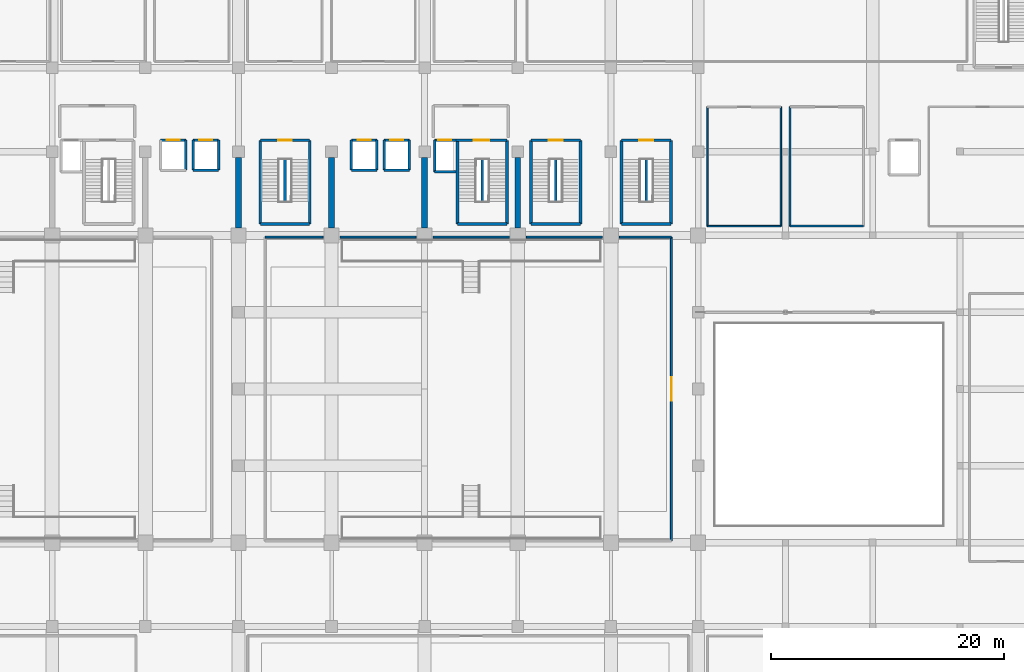
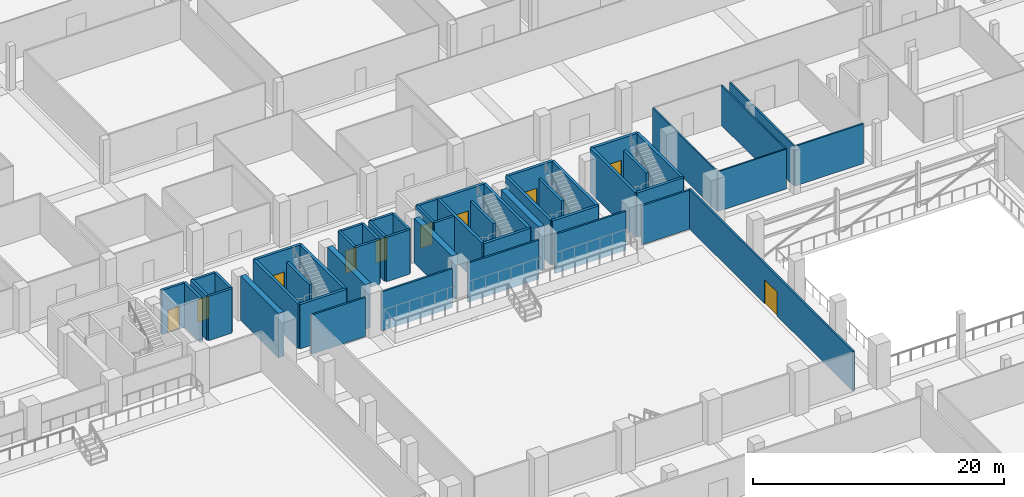
# One storey, part 45 of 68: 52 walls, 10 doors, 10 openings.
"""IFC4 building model written with IfcOpenShell, lengths in metres."""

from ifc_helpers import new_model, si_unit, direction, frame, frame_2d, origin, place, context, subcontext, project, spatial, rectangle, extrude, material, layer, layer_set, type_object, element, fill, save


model = new_model("IFC4")

# Units and contexts
model_context = context("Model", 3, precision=1e-05, world=origin(), true_north=direction((0.0, 1.0)))
body_context = subcontext(model_context, "Body", "Model", "MODEL_VIEW")
ifc_project = project(units=[si_unit("LENGTHUNIT", "METRE"), si_unit("AREAUNIT", "SQUARE_METRE"), si_unit("VOLUMEUNIT", "CUBIC_METRE"), si_unit("PLANEANGLEUNIT", "RADIAN"), si_unit("MASSUNIT", "GRAM", prefix="KILO")], contexts=[model_context])

# Site, building, storey
site_placement = place(None, origin())
site = spatial("IfcSite", under=ifc_project, at=site_placement, CompositionType="ELEMENT")
building_placement = place(site_placement, origin())
building = spatial("IfcBuilding", under=site, at=building_placement, Name="Akrevak Sports Hall", CompositionType="ELEMENT")
storey_placement = place(building_placement, frame((0.0, 0.0, 9.39990234375)))
storey = spatial("IfcBuildingStorey", under=building, at=storey_placement, Name="L02", CompositionType="ELEMENT", Elevation=9.39990234375)

# Walls
ifc_material_1 = material(Name="Acoustic Metal Stud Partition", Category="gypsum")
ifc_layer_1 = layer(ifc_material_1, 0.1298828125, Name="Acoustic Metal Stud Partition")
ifc_layer_set_1 = layer_set([ifc_layer_1], Name="Acoustic Metal Stud Partition")
wall_type_1 = type_object("IfcWallType", Name="ARC-WL-PRT-130", PredefinedType="PARTITIONING", material=ifc_layer_set_1)
wall_1_placement = place(storey_placement, frame((116.300048828125, 56.0, 0.0), z_axis=(0.0, 0.0, 1.0), x_axis=(1.0, 0.0, 0.0)))
element("IfcWall", 1, at=wall_1_placement, inside=storey, type_object=wall_type_1, Name="Interior Partition Scoreboard & Broadcast Office L02 (S)", PredefinedType="PARTITIONING", context=body_context, shape_type="SweptSolid", body=[
    extrude(rectangle(XDim=6.300048828125, YDim=0.1298828125, at=frame_2d((3.14990234375, 0.0))), origin(), (0.0, 0.0, 1.0), 3.880126953125),
])
for number, where, z_axis, x_axis, name in (
    (2, (116.300048828125, 56.0, 0.0), (0.0, 0.0, 1.0), (0.0, 1.0, 0.0), "Interior Partition Scoreboard & Broadcast Office L02 (W)"),
    (3, (122.60009765625, 56.0, 0.0), (0.0, 0.0, 1.0), (0.0, 1.0, 0.0), "Interior Partition Scoreboard & Broadcast Office L02 (E)"),
):
    element("IfcWall", number, at=place(storey_placement, frame(where, z_axis=z_axis, x_axis=x_axis)), inside=storey, type_object=wall_type_1, Name=name, PredefinedType="PARTITIONING", context=body_context, shape_type="SweptSolid", body=[
        extrude(rectangle(XDim=10.25, YDim=0.1298828125, at=frame_2d((5.125, 0.0))), origin(), (0.0, 0.0, 1.0), 3.880126953125),
    ])
ifc_material_2 = material(Name="Double Stud Acoustic Gypsum Partition", Category="gypsum")
ifc_layer_2 = layer(ifc_material_2, 0.14990234375, Name="Double Stud Acoustic Gypsum Partition")
ifc_layer_set_2 = layer_set([ifc_layer_2], Name="Double Stud Acoustic Gypsum Partition")
wall_type_2 = type_object("IfcWallType", Name="ARC-WL-PRT-150", PredefinedType="PARTITIONING", material=ifc_layer_set_2)
wall_2_placement = place(storey_placement, frame((123.39990234375, 56.0, 0.0), z_axis=(0.0, 0.0, 1.0), x_axis=(1.0, 0.0, 0.0)))
element("IfcWall", 4, at=wall_2_placement, inside=storey, type_object=wall_type_2, Name="Interior Partition Upper Apparatus Storage L02 (S)", PredefinedType="PARTITIONING", context=body_context, shape_type="SweptSolid", body=[
    extrude(rectangle(XDim=6.300048828125, YDim=0.14990234375, at=frame_2d((3.14990234375, 0.0))), origin(), (0.0, 0.0, 1.0), 3.880126953125),
])
wall_3_placement = place(storey_placement, frame((123.39990234375, 56.0, 0.0), z_axis=(0.0, 0.0, 1.0), x_axis=(0.0, 1.0, 0.0)))
element("IfcWall", 5, at=wall_3_placement, inside=storey, type_object=wall_type_2, Name="Interior Partition Upper Apparatus Storage L02 (W)", PredefinedType="PARTITIONING", context=body_context, shape_type="SweptSolid", body=[
    extrude(rectangle(XDim=10.25, YDim=0.14990234375, at=frame_2d((5.125, 0.0))), origin(), (0.0, 0.0, 1.0), 3.880126953125),
])
ifc_material_3 = material(Name="Double Stud Fireboard Partition", Category="gypsum")
ifc_layer_3 = layer(ifc_material_3, 0.1650390625, Name="Double Stud Fireboard Partition")
ifc_layer_set_3 = layer_set([ifc_layer_3], Name="Double Stud Fireboard Partition")
wall_type_3 = type_object("IfcWallType", Name="ARC-WL-PRT-165", PredefinedType="PARTITIONING", material=ifc_layer_set_3)
wall_4_placement = place(storey_placement, frame((78.300048828125, 55.050048828125, 0.0), z_axis=(0.0, 0.0, 1.0), x_axis=(1.0, 0.0, 0.0)))
element("IfcWall", 6, at=wall_4_placement, inside=storey, type_object=wall_type_3, Name="Interior Partition Sports Hall 3 - Volleyball Court (N) Segment 1", PredefinedType="PARTITIONING", context=body_context, shape_type="SweptSolid", body=[
    extrude(rectangle(XDim=4.969970703125, YDim=0.1650390625, at=frame_2d((2.48486328125, 0.0))), origin(), (0.0, 0.0, 1.0), 3.800048828125),
])
for number, where, z_axis, x_axis, name in (
    (7, (84.72998046875, 55.050048828125, 0.0), (0.0, 0.0, 1.0), (1.0, 0.0, 0.0), "Interior Partition Sports Hall 3 - Volleyball Court (N) Segment 2"),
    (8, (92.72998046875, 55.050048828125, 0.0), (0.0, 0.0, 1.0), (1.0, 0.0, 0.0), "Interior Partition Sports Hall 3 - Volleyball Court (N) Segment 3"),
    (9, (100.72998046875, 55.050048828125, 0.0), (0.0, 0.0, 1.0), (1.0, 0.0, 0.0), "Interior Partition Sports Hall 3 - Volleyball Court (N) Segment 4"),
):
    element("IfcWall", number, at=place(storey_placement, frame(where, z_axis=z_axis, x_axis=x_axis)), inside=storey, type_object=wall_type_3, Name=name, PredefinedType="PARTITIONING", context=body_context, shape_type="SweptSolid", body=[
        extrude(rectangle(XDim=6.5400390625, YDim=0.1650390625, at=frame_2d((3.27001953125, 0.0))), origin(), (0.0, 0.0, 1.0), 3.800048828125),
    ])
wall_5_placement = place(storey_placement, frame((108.72998046875, 55.050048828125, 0.0), z_axis=(0.0, 0.0, 1.0), x_axis=(1.0, 0.0, 0.0)))
element("IfcWall", 10, at=wall_5_placement, inside=storey, type_object=wall_type_3, Name="Interior Partition Sports Hall 3 - Volleyball Court (N) Segment 5", PredefinedType="PARTITIONING", context=body_context, shape_type="SweptSolid", body=[
    extrude(rectangle(XDim=4.469970703125, YDim=0.1650390625, at=frame_2d((2.23486328125, 0.0))), origin(), (0.0, 0.0, 1.0), 3.800048828125),
])

# Wall, opening, door
wall_6_placement = place(storey_placement, frame((113.199951171875, 28.949951171875, 0.0), z_axis=(0.0, 0.0, 1.0), x_axis=(0.0, 1.0, 0.0)))
wall_6 = element("IfcWall", 11, at=wall_6_placement, inside=storey, type_object=wall_type_3, Name="Interior Partition Sports Hall 3 - Volleyball Court (E)", PredefinedType="PARTITIONING", context=body_context, shape_type="SweptSolid", body=[
    extrude(rectangle(XDim=26.10009765625, YDim=0.1650390625, at=frame_2d((13.050048828125, 0.0))), origin(), (0.0, 0.0, 1.0), 3.880126953125),
])
opening_1_placement = place(wall_6_placement, frame((12.050048828125, 0.0, 0.0)))
opening_1 = element("IfcOpeningElement", 12, at=opening_1_placement, cuts=wall_6, Name="Opening ID-01", PredefinedType="OPENING", context=body_context, shape_type="SweptSolid", body=[
    extrude(rectangle(XDim=2.0, YDim=2.35009765625, at=frame_2d((1.0, 1.175048828125))), frame((0.0, 0.094482421875, 0.0), z_axis=(0.0, -1.0, 0.0), x_axis=(1.0, 0.0, 0.0)), (0.0, 0.0, 1.0), 0.18896484375),
])
ifc_material_4 = material(Name="Hardwood Oak & Safety Glass", Category="wood")
door_type_1 = type_object("IfcDoorType", Name="ARC-DR-HALL-200x235", OperationType="DOUBLE_DOOR_SINGLE_SWING", PredefinedType="DOOR", material=ifc_material_4)
door_1_placement = place(opening_1_placement, frame((2.0, 0.0, 0.0), z_axis=(0.0, 0.0, 1.0), x_axis=(-1.0, 0.0, 0.0)))
door_1 = element("IfcDoor", 13, at=door_1_placement, inside=storey, type_object=door_type_1, Name="Door to Sports Hall 3 - Volleyball Court", OperationType="DOUBLE_DOOR_SINGLE_SWING", OverallHeight=2.35009765625, OverallWidth=2.0, PredefinedType="DOOR", context=body_context, shape_type="SweptSolid", body=[
    extrude(rectangle(XDim=2.0, YDim=2.35009765625, at=frame_2d((1.0, 1.175048828125))), frame((0.0, 0.02490234375, 0.0), z_axis=(0.0, -1.0, 0.0), x_axis=(1.0, 0.0, 0.0)), (0.0, 0.0, 1.0), 0.050048828125),
])
fill(opening_1, door_1)

# Walls
ifc_material_5 = material(Name="Concrete C40/50", Category="concrete")
ifc_layer_4 = layer(ifc_material_5, 0.219970703125, Name="Concrete C40/50")
ifc_layer_set_4 = layer_set([ifc_layer_4], Name="Concrete C40/50")
wall_type_4 = type_object("IfcWallType", Name="ARC-WL-PRT-220", PredefinedType="PARTITIONING", material=ifc_layer_set_4)
for number, where, z_axis, x_axis, name in (
    (14, (96.949951171875, 58.094970703125, 0.0), (0.0, 0.0, 1.0), (0.0, 1.0, 0.0), "Stair ST2 Central Spine Wall (L02)"),
    (15, (80.0, 58.094970703125, 0.0), (0.0, 0.0, 1.0), (0.0, 1.0, 0.0), "Stair ST3 Central Spine Wall (L02)"),
    (16, (103.25, 58.094970703125, 0.0), (0.0, 0.0, 1.0), (0.0, 1.0, 0.0), "Stair ST10 Central Spine Wall (L02)"),
    (17, (111.050048828125, 58.094970703125, 0.0), (0.0, 0.0, 1.0), (0.0, 1.0, 0.0), "Stair ST11 Central Spine Wall (L02)"),
):
    element("IfcWall", number, at=place(storey_placement, frame(where, z_axis=z_axis, x_axis=x_axis)), inside=storey, type_object=wall_type_4, Name=name, PredefinedType="PARTITIONING", context=body_context, shape_type="SweptSolid", body=[
        extrude(rectangle(XDim=3.64013671875, YDim=0.219970703125, at=frame_2d((1.820068359375, 0.0))), origin(), (0.0, 0.0, 1.0), 4.320068359375),
    ])
ifc_material_6 = material(Name="Concrete C50/60", Category="concrete")
ifc_layer_5 = layer(ifc_material_6, 0.219970703125, Name="Concrete C50/60")
ifc_layer_set_5 = layer_set([ifc_layer_5], Name="Concrete C50/60")
wall_type_5 = type_object("IfcWallType", Name="ARC-WL-SHAFT-220", PredefinedType="SHEAR", material=ifc_layer_set_5)
wall_7_placement = place(storey_placement, frame((92.860107421875, 60.659912109375, 0.0), z_axis=(0.0, 0.0, 1.0), x_axis=(1.0, 0.0, 0.0)))
element("IfcWall", 18, at=wall_7_placement, inside=storey, type_object=wall_type_5, Name="Lift Shaft LF-FF2 Wall S (L02)", PredefinedType="SHEAR", context=body_context, shape_type="SweptSolid", body=[
    extrude(rectangle(XDim=1.83984375, YDim=0.219970703125, at=frame_2d((0.919921875, 0.0))), origin(), (0.0, 0.0, 1.0), 4.320068359375),
])

# Wall, opening, door
wall_8_placement = place(storey_placement, frame((94.699951171875, 63.389892578125, 0.0), z_axis=(0.0, 0.0, 1.0), x_axis=(-1.0, 0.0, 0.0)))
wall_8 = element("IfcWall", 19, at=wall_8_placement, inside=storey, type_object=wall_type_5, Name="Lift Shaft LF-FF2 Wall N (L02)", PredefinedType="SHEAR", context=body_context, shape_type="SweptSolid", body=[
    extrude(rectangle(XDim=1.83984375, YDim=0.219970703125, at=frame_2d((0.919921875, 0.0))), origin(), (0.0, 0.0, 1.0), 4.320068359375),
])
opening_2_placement = place(wall_8_placement, frame((0.425048828125, 0.0, 0.0)))
opening_2 = element("IfcOpeningElement", 20, at=opening_2_placement, cuts=wall_8, Name="Opening LD-01", PredefinedType="OPENING", context=body_context, shape_type="SweptSolid", body=[
    extrude(rectangle(XDim=1.10009765625, YDim=2.199951171875, at=frame_2d((0.550048828125, 1.10009765625))), frame((0.0, 0.1220703125, 0.0), z_axis=(0.0, -1.0, 0.0), x_axis=(1.0, 0.0, 0.0)), (0.0, 0.0, 1.0), 0.243896484375),
])
ifc_material_7 = material(Name="Brushed Stainless Steel 304", Category="steel")
door_type_2 = type_object("IfcDoorType", Name="ARC-DR-LD-110x220", OperationType="SLIDING_TO_LEFT", PredefinedType="DOOR", material=ifc_material_7)
door_2_placement = place(opening_2_placement, origin())
door_2 = element("IfcDoor", 21, at=door_2_placement, inside=storey, type_object=door_type_2, Name="Lift LF-FF2 Sliding Landing Door (L02)", OperationType="SLIDING_TO_LEFT", OverallHeight=2.199951171875, OverallWidth=1.10009765625, PredefinedType="DOOR", context=body_context, shape_type="SweptSolid", body=[
    extrude(rectangle(XDim=1.10009765625, YDim=2.199951171875, at=frame_2d((0.550048828125, 1.10009765625))), frame((0.0, 0.02490234375, 0.0), z_axis=(0.0, -1.0, 0.0), x_axis=(1.0, 0.0, 0.0)), (0.0, 0.0, 1.0), 0.050048828125),
])
fill(opening_2, door_2)

# Wall
wall_9_placement = place(storey_placement, frame((92.860107421875, 63.389892578125, 0.0), z_axis=(0.0, 0.0, 1.0), x_axis=(0.0, -1.0, 0.0)))
element("IfcWall", 22, at=wall_9_placement, inside=storey, type_object=wall_type_5, Name="Lift Shaft LF-FF2 Wall W (L02)", PredefinedType="SHEAR", context=body_context, shape_type="SweptSolid", body=[
    extrude(rectangle(XDim=2.72998046875, YDim=0.219970703125, at=frame_2d((1.364990234375, 0.0))), origin(), (0.0, 0.0, 1.0), 4.320068359375),
])

# Wall, opening, door
wall_10_placement = place(storey_placement, frame((71.489990234375, 63.389892578125, 0.0), z_axis=(0.0, 0.0, 1.0), x_axis=(-1.0, 0.0, 0.0)))
wall_10 = element("IfcWall", 23, at=wall_10_placement, inside=storey, type_object=wall_type_5, Name="Lift Shaft LF-P1 Wall N (L02)", PredefinedType="SHEAR", context=body_context, shape_type="SweptSolid", body=[
    extrude(rectangle(XDim=2.179931640625, YDim=0.219970703125, at=frame_2d((1.08984375, 0.0))), origin(), (0.0, 0.0, 1.0), 4.320068359375),
])
opening_3_placement = place(wall_10_placement, frame((0.5400390625, 0.0, 0.0)))
opening_3 = element("IfcOpeningElement", 24, at=opening_3_placement, cuts=wall_10, Name="Opening LD-01", PredefinedType="OPENING", context=body_context, shape_type="SweptSolid", body=[
    extrude(rectangle(XDim=1.10009765625, YDim=2.199951171875, at=frame_2d((0.550048828125, 1.10009765625))), frame((0.0, 0.1220703125, 0.0), z_axis=(0.0, -1.0, 0.0), x_axis=(1.0, 0.0, 0.0)), (0.0, 0.0, 1.0), 0.243896484375),
])
door_3_placement = place(opening_3_placement, origin())
door_3 = element("IfcDoor", 25, at=door_3_placement, inside=storey, type_object=door_type_2, Name="Lift LF-P1 Sliding Landing Door (L02)", OperationType="SLIDING_TO_LEFT", OverallHeight=2.199951171875, OverallWidth=1.10009765625, PredefinedType="DOOR", context=body_context, shape_type="SweptSolid", body=[
    extrude(rectangle(XDim=1.10009765625, YDim=2.199951171875, at=frame_2d((0.550048828125, 1.10009765625))), frame((0.0, 0.02490234375, 0.0), z_axis=(0.0, -1.0, 0.0), x_axis=(1.0, 0.0, 0.0)), (0.0, 0.0, 1.0), 0.050048828125),
])
fill(opening_3, door_3)

# Walls
wall_11_placement = place(storey_placement, frame((71.489990234375, 60.81005859375, 0.0), z_axis=(0.0, 0.0, 1.0), x_axis=(0.0, 1.0, 0.0)))
element("IfcWall", 26, at=wall_11_placement, inside=storey, type_object=wall_type_5, Name="Lift Shaft LF-P1 Wall E (L02)", PredefinedType="SHEAR", context=body_context, shape_type="SweptSolid", body=[
    extrude(rectangle(XDim=2.579833984375, YDim=0.219970703125, at=frame_2d((1.2900390625, 0.0))), origin(), (0.0, 0.0, 1.0), 4.320068359375),
])
wall_12_placement = place(storey_placement, frame((72.110107421875, 60.81005859375, 0.0), z_axis=(0.0, 0.0, 1.0), x_axis=(1.0, 0.0, 0.0)))
element("IfcWall", 27, at=wall_12_placement, inside=storey, type_object=wall_type_5, Name="Lift Shaft LF-P2 Wall S (L02)", PredefinedType="SHEAR", context=body_context, shape_type="SweptSolid", body=[
    extrude(rectangle(XDim=2.179931640625, YDim=0.219970703125, at=frame_2d((1.08984375, 0.0))), origin(), (0.0, 0.0, 1.0), 4.320068359375),
])

# Wall, opening, door
wall_13_placement = place(storey_placement, frame((74.2900390625, 63.389892578125, 0.0), z_axis=(0.0, 0.0, 1.0), x_axis=(-1.0, 0.0, 0.0)))
wall_13 = element("IfcWall", 28, at=wall_13_placement, inside=storey, type_object=wall_type_5, Name="Lift Shaft LF-P2 Wall N (L02)", PredefinedType="SHEAR", context=body_context, shape_type="SweptSolid", body=[
    extrude(rectangle(XDim=2.179931640625, YDim=0.219970703125, at=frame_2d((1.08984375, 0.0))), origin(), (0.0, 0.0, 1.0), 4.320068359375),
])
opening_4_placement = place(wall_13_placement, frame((0.5400390625, 0.0, 0.0)))
opening_4 = element("IfcOpeningElement", 29, at=opening_4_placement, cuts=wall_13, Name="Opening LD-01", PredefinedType="OPENING", context=body_context, shape_type="SweptSolid", body=[
    extrude(rectangle(XDim=1.10009765625, YDim=2.199951171875, at=frame_2d((0.550048828125, 1.10009765625))), frame((0.0, 0.1220703125, 0.0), z_axis=(0.0, -1.0, 0.0), x_axis=(1.0, 0.0, 0.0)), (0.0, 0.0, 1.0), 0.243896484375),
])
door_4_placement = place(opening_4_placement, origin())
door_4 = element("IfcDoor", 30, at=door_4_placement, inside=storey, type_object=door_type_2, Name="Lift LF-P2 Sliding Landing Door (L02)", OperationType="SLIDING_TO_LEFT", OverallHeight=2.199951171875, OverallWidth=1.10009765625, PredefinedType="DOOR", context=body_context, shape_type="SweptSolid", body=[
    extrude(rectangle(XDim=1.10009765625, YDim=2.199951171875, at=frame_2d((0.550048828125, 1.10009765625))), frame((0.0, 0.02490234375, 0.0), z_axis=(0.0, -1.0, 0.0), x_axis=(1.0, 0.0, 0.0)), (0.0, 0.0, 1.0), 0.050048828125),
])
fill(opening_4, door_4)

# Walls
for number, where, z_axis, x_axis, name in (
    (31, (72.110107421875, 63.389892578125, 0.0), (0.0, 0.0, 1.0), (0.0, -1.0, 0.0), "Lift Shaft LF-P2 Wall W (L02)"),
    (32, (74.2900390625, 60.81005859375, 0.0), (0.0, 0.0, 1.0), (0.0, 1.0, 0.0), "Lift Shaft LF-P2 Wall E (L02)"),
):
    element("IfcWall", number, at=place(storey_placement, frame(where, z_axis=z_axis, x_axis=x_axis)), inside=storey, type_object=wall_type_5, Name=name, PredefinedType="SHEAR", context=body_context, shape_type="SweptSolid", body=[
        extrude(rectangle(XDim=2.579833984375, YDim=0.219970703125, at=frame_2d((1.2900390625, 0.0))), origin(), (0.0, 0.0, 1.0), 4.320068359375),
    ])
wall_14_placement = place(storey_placement, frame((85.7099609375, 60.81005859375, 0.0), z_axis=(0.0, 0.0, 1.0), x_axis=(1.0, 0.0, 0.0)))
element("IfcWall", 33, at=wall_14_placement, inside=storey, type_object=wall_type_5, Name="Lift Shaft LF-P3 Wall S (L02)", PredefinedType="SHEAR", context=body_context, shape_type="SweptSolid", body=[
    extrude(rectangle(XDim=2.179931640625, YDim=0.219970703125, at=frame_2d((1.08984375, 0.0))), origin(), (0.0, 0.0, 1.0), 4.320068359375),
])

# Wall, opening, door
wall_15_placement = place(storey_placement, frame((87.889892578125, 63.389892578125, 0.0), z_axis=(0.0, 0.0, 1.0), x_axis=(-1.0, 0.0, 0.0)))
wall_15 = element("IfcWall", 34, at=wall_15_placement, inside=storey, type_object=wall_type_5, Name="Lift Shaft LF-P3 Wall N (L02)", PredefinedType="SHEAR", context=body_context, shape_type="SweptSolid", body=[
    extrude(rectangle(XDim=2.179931640625, YDim=0.219970703125, at=frame_2d((1.08984375, 0.0))), origin(), (0.0, 0.0, 1.0), 4.320068359375),
])
opening_5_placement = place(wall_15_placement, frame((0.5400390625, 0.0, 0.0)))
opening_5 = element("IfcOpeningElement", 35, at=opening_5_placement, cuts=wall_15, Name="Opening LD-01", PredefinedType="OPENING", context=body_context, shape_type="SweptSolid", body=[
    extrude(rectangle(XDim=1.10009765625, YDim=2.199951171875, at=frame_2d((0.550048828125, 1.10009765625))), frame((0.0, 0.1220703125, 0.0), z_axis=(0.0, -1.0, 0.0), x_axis=(1.0, 0.0, 0.0)), (0.0, 0.0, 1.0), 0.243896484375),
])
door_5_placement = place(opening_5_placement, origin())
door_5 = element("IfcDoor", 36, at=door_5_placement, inside=storey, type_object=door_type_2, Name="Lift LF-P3 Sliding Landing Door (L02)", OperationType="SLIDING_TO_LEFT", OverallHeight=2.199951171875, OverallWidth=1.10009765625, PredefinedType="DOOR", context=body_context, shape_type="SweptSolid", body=[
    extrude(rectangle(XDim=1.10009765625, YDim=2.199951171875, at=frame_2d((0.550048828125, 1.10009765625))), frame((0.0, 0.02490234375, 0.0), z_axis=(0.0, -1.0, 0.0), x_axis=(1.0, 0.0, 0.0)), (0.0, 0.0, 1.0), 0.050048828125),
])
fill(opening_5, door_5)

# Walls
for number, where, z_axis, x_axis, name in (
    (37, (85.7099609375, 63.389892578125, 0.0), (0.0, 0.0, 1.0), (0.0, -1.0, 0.0), "Lift Shaft LF-P3 Wall W (L02)"),
    (38, (87.889892578125, 60.81005859375, 0.0), (0.0, 0.0, 1.0), (0.0, 1.0, 0.0), "Lift Shaft LF-P3 Wall E (L02)"),
):
    element("IfcWall", number, at=place(storey_placement, frame(where, z_axis=z_axis, x_axis=x_axis)), inside=storey, type_object=wall_type_5, Name=name, PredefinedType="SHEAR", context=body_context, shape_type="SweptSolid", body=[
        extrude(rectangle(XDim=2.579833984375, YDim=0.219970703125, at=frame_2d((1.2900390625, 0.0))), origin(), (0.0, 0.0, 1.0), 4.320068359375),
    ])
wall_16_placement = place(storey_placement, frame((88.510009765625, 60.81005859375, 0.0), z_axis=(0.0, 0.0, 1.0), x_axis=(1.0, 0.0, 0.0)))
element("IfcWall", 39, at=wall_16_placement, inside=storey, type_object=wall_type_5, Name="Lift Shaft LF-P4 Wall S (L02)", PredefinedType="SHEAR", context=body_context, shape_type="SweptSolid", body=[
    extrude(rectangle(XDim=2.179931640625, YDim=0.219970703125, at=frame_2d((1.08984375, 0.0))), origin(), (0.0, 0.0, 1.0), 4.320068359375),
])

# Wall, opening, door
wall_17_placement = place(storey_placement, frame((90.68994140625, 63.389892578125, 0.0), z_axis=(0.0, 0.0, 1.0), x_axis=(-1.0, 0.0, 0.0)))
wall_17 = element("IfcWall", 40, at=wall_17_placement, inside=storey, type_object=wall_type_5, Name="Lift Shaft LF-P4 Wall N (L02)", PredefinedType="SHEAR", context=body_context, shape_type="SweptSolid", body=[
    extrude(rectangle(XDim=2.179931640625, YDim=0.219970703125, at=frame_2d((1.08984375, 0.0))), origin(), (0.0, 0.0, 1.0), 4.320068359375),
])
opening_6_placement = place(wall_17_placement, frame((0.5400390625, 0.0, 0.0)))
opening_6 = element("IfcOpeningElement", 41, at=opening_6_placement, cuts=wall_17, Name="Opening LD-01", PredefinedType="OPENING", context=body_context, shape_type="SweptSolid", body=[
    extrude(rectangle(XDim=1.10009765625, YDim=2.199951171875, at=frame_2d((0.550048828125, 1.10009765625))), frame((0.0, 0.1220703125, 0.0), z_axis=(0.0, -1.0, 0.0), x_axis=(1.0, 0.0, 0.0)), (0.0, 0.0, 1.0), 0.243896484375),
])
door_6_placement = place(opening_6_placement, origin())
door_6 = element("IfcDoor", 42, at=door_6_placement, inside=storey, type_object=door_type_2, Name="Lift LF-P4 Sliding Landing Door (L02)", OperationType="SLIDING_TO_LEFT", OverallHeight=2.199951171875, OverallWidth=1.10009765625, PredefinedType="DOOR", context=body_context, shape_type="SweptSolid", body=[
    extrude(rectangle(XDim=1.10009765625, YDim=2.199951171875, at=frame_2d((0.550048828125, 1.10009765625))), frame((0.0, 0.02490234375, 0.0), z_axis=(0.0, -1.0, 0.0), x_axis=(1.0, 0.0, 0.0)), (0.0, 0.0, 1.0), 0.050048828125),
])
fill(opening_6, door_6)

# Walls
for number, where, z_axis, x_axis, name in (
    (43, (88.510009765625, 63.389892578125, 0.0), (0.0, 0.0, 1.0), (0.0, -1.0, 0.0), "Lift Shaft LF-P4 Wall W (L02)"),
    (44, (90.68994140625, 60.81005859375, 0.0), (0.0, 0.0, 1.0), (0.0, 1.0, 0.0), "Lift Shaft LF-P4 Wall E (L02)"),
):
    element("IfcWall", number, at=place(storey_placement, frame(where, z_axis=z_axis, x_axis=x_axis)), inside=storey, type_object=wall_type_5, Name=name, PredefinedType="SHEAR", context=body_context, shape_type="SweptSolid", body=[
        extrude(rectangle(XDim=2.579833984375, YDim=0.219970703125, at=frame_2d((1.2900390625, 0.0))), origin(), (0.0, 0.0, 1.0), 4.320068359375),
    ])
ifc_layer_6 = layer(ifc_material_6, 0.5, Name="Concrete C50/60")
ifc_layer_set_6 = layer_set([ifc_layer_6], Name="Concrete C50/60")
wall_type_6 = type_object("IfcWallType", Name="STR-WL-CORE-500", PredefinedType="SHEAR", material=ifc_layer_set_6)
for number, where, z_axis, x_axis, name in (
    (45, (76.0, 55.85009765625, 0.0), (0.0, 0.0, 1.0), (0.0, 1.0, 0.0), "Reinforced Concrete Shear Wall SW-W1 (L02)"),
    (46, (84.0, 55.85009765625, 0.0), (0.0, 0.0, 1.0), (0.0, 1.0, 0.0), "Reinforced Concrete Shear Wall SW-C2 (L02)"),
    (47, (92.0, 55.85009765625, 0.0), (0.0, 0.0, 1.0), (0.0, 1.0, 0.0), "Reinforced Concrete Shear Wall SW-E1 (L02)"),
    (48, (100.0, 55.85009765625, 0.0), (0.0, 0.0, 1.0), (0.0, 1.0, 0.0), "Reinforced Concrete Shear Wall SW-E2 (L02)"),
):
    element("IfcWall", number, at=place(storey_placement, frame(where, z_axis=z_axis, x_axis=x_axis)), inside=storey, type_object=wall_type_6, Name=name, PredefinedType="SHEAR", context=body_context, shape_type="SweptSolid", body=[
        extrude(rectangle(XDim=6.0498046875, YDim=0.5, at=frame_2d((3.02490234375, 0.0))), origin(), (0.0, 0.0, 1.0), 4.320068359375),
    ])
ifc_layer_7 = layer(ifc_material_6, 0.25, Name="Concrete C50/60")
ifc_layer_set_7 = layer_set([ifc_layer_7], Name="Concrete C50/60")
wall_type_7 = type_object("IfcWallType", Name="STR-WL-STAIR-250", PredefinedType="SHEAR", material=ifc_layer_set_7)
wall_18_placement = place(storey_placement, frame((94.824951171875, 56.175048828125, 0.0), z_axis=(0.0, 0.0, 1.0), x_axis=(1.0, 0.0, 0.0)))
element("IfcWall", 49, at=wall_18_placement, inside=storey, type_object=wall_type_7, Name="Stair Core ST2 Shear Wall S (L02)", PredefinedType="SHEAR", context=body_context, shape_type="SweptSolid", body=[
    extrude(rectangle(XDim=4.25, YDim=0.25, at=frame_2d((2.125, 0.0))), origin(), (0.0, 0.0, 1.0), 4.320068359375),
])

# Wall, opening, door
wall_19_placement = place(storey_placement, frame((99.074951171875, 63.375, 0.0), z_axis=(0.0, 0.0, 1.0), x_axis=(-1.0, 0.0, 0.0)))
wall_19 = element("IfcWall", 50, at=wall_19_placement, inside=storey, type_object=wall_type_7, Name="Stair Core ST2 Shear Wall N (L02)", PredefinedType="SHEAR", context=body_context, shape_type="SweptSolid", body=[
    extrude(rectangle(XDim=4.375, YDim=0.25, at=frame_2d((2.1875, 0.0))), origin(), (0.0, 0.0, 1.0), 4.320068359375),
])
opening_7_placement = place(wall_19_placement, frame((1.53759765625, 0.0, 0.0)))
opening_7 = element("IfcOpeningElement", 51, at=opening_7_placement, cuts=wall_19, Name="Opening SD-01", PredefinedType="OPENING", context=body_context, shape_type="SweptSolid", body=[
    extrude(rectangle(XDim=1.300048828125, YDim=2.199951171875, at=frame_2d((0.64990234375, 1.10009765625))), frame((0.0, 0.136962890625, 0.0), z_axis=(0.0, -1.0, 0.0), x_axis=(1.0, 0.0, 0.0)), (0.0, 0.0, 1.0), 0.27392578125),
])
ifc_material_8 = material(Name="Fire-Rated Galvanized Door Steel", Category="steel")
door_type_3 = type_object("IfcDoorType", Name="ARC-DR-STAIR-130x220", OperationType="NOTDEFINED", PredefinedType="DOOR", material=ifc_material_8)
door_7_placement = place(opening_7_placement, origin())
door_7 = element("IfcDoor", 52, at=door_7_placement, inside=storey, type_object=door_type_3, Name="Exit Stair ST2 Door (L02)", OperationType="SINGLE_SWING_LEFT", OverallHeight=2.199951171875, OverallWidth=1.300048828125, PredefinedType="DOOR", context=body_context, shape_type="SweptSolid", body=[
    extrude(rectangle(XDim=1.300048828125, YDim=2.199951171875, at=frame_2d((0.64990234375, 1.10009765625))), frame((0.0, 0.02490234375, 0.0), z_axis=(0.0, -1.0, 0.0), x_axis=(1.0, 0.0, 0.0)), (0.0, 0.0, 1.0), 0.050048828125),
])
fill(opening_7, door_7)

# Walls
wall_20_placement = place(storey_placement, frame((94.824951171875, 63.25, 0.0), z_axis=(0.0, 0.0, 1.0), x_axis=(0.0, -1.0, 0.0)))
element("IfcWall", 53, at=wall_20_placement, inside=storey, type_object=wall_type_7, Name="Stair Core ST2 Shear Wall W (L02)", PredefinedType="SHEAR", context=body_context, shape_type="SweptSolid", body=[
    extrude(rectangle(XDim=7.074951171875, YDim=0.25, at=frame_2d((3.53759765625, 0.0))), origin(), (0.0, 0.0, 1.0), 4.320068359375),
])
wall_21_placement = place(storey_placement, frame((99.074951171875, 56.175048828125, 0.0), z_axis=(0.0, 0.0, 1.0), x_axis=(0.0, 1.0, 0.0)))
element("IfcWall", 54, at=wall_21_placement, inside=storey, type_object=wall_type_7, Name="Stair Core ST2 Shear Wall E (L02)", PredefinedType="SHEAR", context=body_context, shape_type="SweptSolid", body=[
    extrude(rectangle(XDim=7.199951171875, YDim=0.25, at=frame_2d((3.60009765625, 0.0))), origin(), (0.0, 0.0, 1.0), 4.320068359375),
])
wall_22_placement = place(storey_placement, frame((77.875, 56.175048828125, 0.0), z_axis=(0.0, 0.0, 1.0), x_axis=(1.0, 0.0, 0.0)))
element("IfcWall", 55, at=wall_22_placement, inside=storey, type_object=wall_type_7, Name="Stair Core ST3 Shear Wall S (L02)", PredefinedType="SHEAR", context=body_context, shape_type="SweptSolid", body=[
    extrude(rectangle(XDim=4.25, YDim=0.25, at=frame_2d((2.125, 0.0))), origin(), (0.0, 0.0, 1.0), 4.320068359375),
])

# Wall, opening, door
wall_23_placement = place(storey_placement, frame((82.125, 63.375, 0.0), z_axis=(0.0, 0.0, 1.0), x_axis=(-1.0, 0.0, 0.0)))
wall_23 = element("IfcWall", 56, at=wall_23_placement, inside=storey, type_object=wall_type_7, Name="Stair Core ST3 Shear Wall N (L02)", PredefinedType="SHEAR", context=body_context, shape_type="SweptSolid", body=[
    extrude(rectangle(XDim=4.25, YDim=0.25, at=frame_2d((2.125, 0.0))), origin(), (0.0, 0.0, 1.0), 4.320068359375),
])
opening_8_placement = place(wall_23_placement, frame((1.52490234375, 0.0, 0.0)))
opening_8 = element("IfcOpeningElement", 57, at=opening_8_placement, cuts=wall_23, Name="Opening SD-02", PredefinedType="OPENING", context=body_context, shape_type="SweptSolid", body=[
    extrude(rectangle(XDim=1.199951171875, YDim=2.199951171875, at=frame_2d((0.60009765625, 1.10009765625))), frame((0.0, 0.136962890625, 0.0), z_axis=(0.0, -1.0, 0.0), x_axis=(1.0, 0.0, 0.0)), (0.0, 0.0, 1.0), 0.27392578125),
])
door_type_4 = type_object("IfcDoorType", Name="ARC-DR-STAIR-120x220", OperationType="NOTDEFINED", PredefinedType="DOOR", material=ifc_material_8)
door_8_placement = place(opening_8_placement, origin())
door_8 = element("IfcDoor", 58, at=door_8_placement, inside=storey, type_object=door_type_4, Name="Exit Stair ST3 Door (L02)", OperationType="SINGLE_SWING_RIGHT", OverallHeight=2.199951171875, OverallWidth=1.199951171875, PredefinedType="DOOR", context=body_context, shape_type="SweptSolid", body=[
    extrude(rectangle(XDim=1.199951171875, YDim=2.199951171875, at=frame_2d((0.60009765625, 1.10009765625))), frame((0.0, 0.02490234375, 0.0), z_axis=(0.0, -1.0, 0.0), x_axis=(1.0, 0.0, 0.0)), (0.0, 0.0, 1.0), 0.050048828125),
])
fill(opening_8, door_8)

# Walls
for number, where, z_axis, x_axis, name in (
    (59, (77.875, 63.375, 0.0), (0.0, 0.0, 1.0), (0.0, -1.0, 0.0), "Stair Core ST3 Shear Wall W (L02)"),
    (60, (82.125, 56.175048828125, 0.0), (0.0, 0.0, 1.0), (0.0, 1.0, 0.0), "Stair Core ST3 Shear Wall E (L02)"),
):
    element("IfcWall", number, at=place(storey_placement, frame(where, z_axis=z_axis, x_axis=x_axis)), inside=storey, type_object=wall_type_7, Name=name, PredefinedType="SHEAR", context=body_context, shape_type="SweptSolid", body=[
        extrude(rectangle(XDim=7.199951171875, YDim=0.25, at=frame_2d((3.60009765625, 0.0))), origin(), (0.0, 0.0, 1.0), 4.320068359375),
    ])
wall_24_placement = place(storey_placement, frame((101.125, 56.175048828125, 0.0), z_axis=(0.0, 0.0, 1.0), x_axis=(1.0, 0.0, 0.0)))
element("IfcWall", 61, at=wall_24_placement, inside=storey, type_object=wall_type_7, Name="Stair Core ST10 Shear Wall S (L02)", PredefinedType="SHEAR", context=body_context, shape_type="SweptSolid", body=[
    extrude(rectangle(XDim=4.25, YDim=0.25, at=frame_2d((2.125, 0.0))), origin(), (0.0, 0.0, 1.0), 4.320068359375),
])

# Wall, opening, door
wall_25_placement = place(storey_placement, frame((105.375, 63.375, 0.0), z_axis=(0.0, 0.0, 1.0), x_axis=(-1.0, 0.0, 0.0)))
wall_25 = element("IfcWall", 62, at=wall_25_placement, inside=storey, type_object=wall_type_7, Name="Stair Core ST10 Shear Wall N (L02)", PredefinedType="SHEAR", context=body_context, shape_type="SweptSolid", body=[
    extrude(rectangle(XDim=4.25, YDim=0.25, at=frame_2d((2.125, 0.0))), origin(), (0.0, 0.0, 1.0), 4.320068359375),
])
opening_9_placement = place(wall_25_placement, frame((1.52490234375, 0.0, 0.0)))
opening_9 = element("IfcOpeningElement", 63, at=opening_9_placement, cuts=wall_25, Name="Opening SD-02", PredefinedType="OPENING", context=body_context, shape_type="SweptSolid", body=[
    extrude(rectangle(XDim=1.199951171875, YDim=2.199951171875, at=frame_2d((0.60009765625, 1.10009765625))), frame((0.0, 0.136962890625, 0.0), z_axis=(0.0, -1.0, 0.0), x_axis=(1.0, 0.0, 0.0)), (0.0, 0.0, 1.0), 0.27392578125),
])
door_9_placement = place(opening_9_placement, origin())
door_9 = element("IfcDoor", 64, at=door_9_placement, inside=storey, type_object=door_type_4, Name="Exit Stair ST10 Door (L02)", OperationType="SINGLE_SWING_LEFT", OverallHeight=2.199951171875, OverallWidth=1.199951171875, PredefinedType="DOOR", context=body_context, shape_type="SweptSolid", body=[
    extrude(rectangle(XDim=1.199951171875, YDim=2.199951171875, at=frame_2d((0.60009765625, 1.10009765625))), frame((0.0, 0.02490234375, 0.0), z_axis=(0.0, -1.0, 0.0), x_axis=(1.0, 0.0, 0.0)), (0.0, 0.0, 1.0), 0.050048828125),
])
fill(opening_9, door_9)

# Walls
for number, where, z_axis, x_axis, name in (
    (65, (101.125, 63.375, 0.0), (0.0, 0.0, 1.0), (0.0, -1.0, 0.0), "Stair Core ST10 Shear Wall W (L02)"),
    (66, (105.375, 56.175048828125, 0.0), (0.0, 0.0, 1.0), (0.0, 1.0, 0.0), "Stair Core ST10 Shear Wall E (L02)"),
):
    element("IfcWall", number, at=place(storey_placement, frame(where, z_axis=z_axis, x_axis=x_axis)), inside=storey, type_object=wall_type_7, Name=name, PredefinedType="SHEAR", context=body_context, shape_type="SweptSolid", body=[
        extrude(rectangle(XDim=7.199951171875, YDim=0.25, at=frame_2d((3.60009765625, 0.0))), origin(), (0.0, 0.0, 1.0), 4.320068359375),
    ])
wall_26_placement = place(storey_placement, frame((108.925048828125, 56.175048828125, 0.0), z_axis=(0.0, 0.0, 1.0), x_axis=(1.0, 0.0, 0.0)))
element("IfcWall", 67, at=wall_26_placement, inside=storey, type_object=wall_type_7, Name="Stair Core ST11 Shear Wall S (L02)", PredefinedType="SHEAR", context=body_context, shape_type="SweptSolid", body=[
    extrude(rectangle(XDim=4.25, YDim=0.25, at=frame_2d((2.125, 0.0))), origin(), (0.0, 0.0, 1.0), 4.320068359375),
])

# Wall, opening, door
wall_27_placement = place(storey_placement, frame((113.175048828125, 63.375, 0.0), z_axis=(0.0, 0.0, 1.0), x_axis=(-1.0, 0.0, 0.0)))
wall_27 = element("IfcWall", 68, at=wall_27_placement, inside=storey, type_object=wall_type_7, Name="Stair Core ST11 Shear Wall N (L02)", PredefinedType="SHEAR", context=body_context, shape_type="SweptSolid", body=[
    extrude(rectangle(XDim=4.25, YDim=0.25, at=frame_2d((2.125, 0.0))), origin(), (0.0, 0.0, 1.0), 4.320068359375),
])
opening_10_placement = place(wall_27_placement, frame((1.52490234375, 0.0, 0.0)))
opening_10 = element("IfcOpeningElement", 69, at=opening_10_placement, cuts=wall_27, Name="Opening SD-02", PredefinedType="OPENING", context=body_context, shape_type="SweptSolid", body=[
    extrude(rectangle(XDim=1.199951171875, YDim=2.199951171875, at=frame_2d((0.60009765625, 1.10009765625))), frame((0.0, 0.136962890625, 0.0), z_axis=(0.0, -1.0, 0.0), x_axis=(1.0, 0.0, 0.0)), (0.0, 0.0, 1.0), 0.27392578125),
])
door_10_placement = place(opening_10_placement, origin())
door_10 = element("IfcDoor", 70, at=door_10_placement, inside=storey, type_object=door_type_4, Name="Exit Stair ST11 Door (L02)", OperationType="SINGLE_SWING_RIGHT", OverallHeight=2.199951171875, OverallWidth=1.199951171875, PredefinedType="DOOR", context=body_context, shape_type="SweptSolid", body=[
    extrude(rectangle(XDim=1.199951171875, YDim=2.199951171875, at=frame_2d((0.60009765625, 1.10009765625))), frame((0.0, 0.02490234375, 0.0), z_axis=(0.0, -1.0, 0.0), x_axis=(1.0, 0.0, 0.0)), (0.0, 0.0, 1.0), 0.050048828125),
])
fill(opening_10, door_10)

# Walls
for number, where, z_axis, x_axis, name in (
    (71, (108.925048828125, 63.375, 0.0), (0.0, 0.0, 1.0), (0.0, -1.0, 0.0), "Stair Core ST11 Shear Wall W (L02)"),
    (72, (113.175048828125, 56.175048828125, 0.0), (0.0, 0.0, 1.0), (0.0, 1.0, 0.0), "Stair Core ST11 Shear Wall E (L02)"),
):
    element("IfcWall", number, at=place(storey_placement, frame(where, z_axis=z_axis, x_axis=x_axis)), inside=storey, type_object=wall_type_7, Name=name, PredefinedType="SHEAR", context=body_context, shape_type="SweptSolid", body=[
        extrude(rectangle(XDim=7.199951171875, YDim=0.25, at=frame_2d((3.60009765625, 0.0))), origin(), (0.0, 0.0, 1.0), 4.320068359375),
    ])

save(model, "model.ifc")
